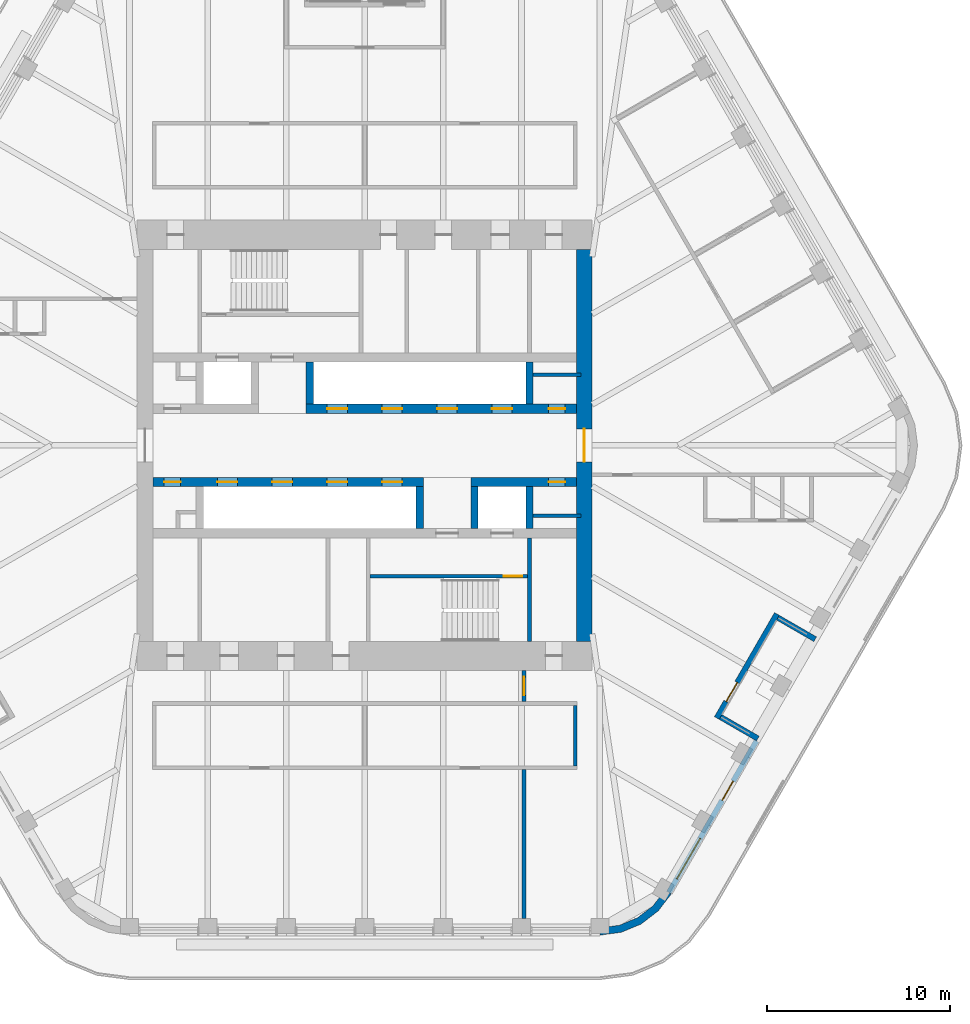
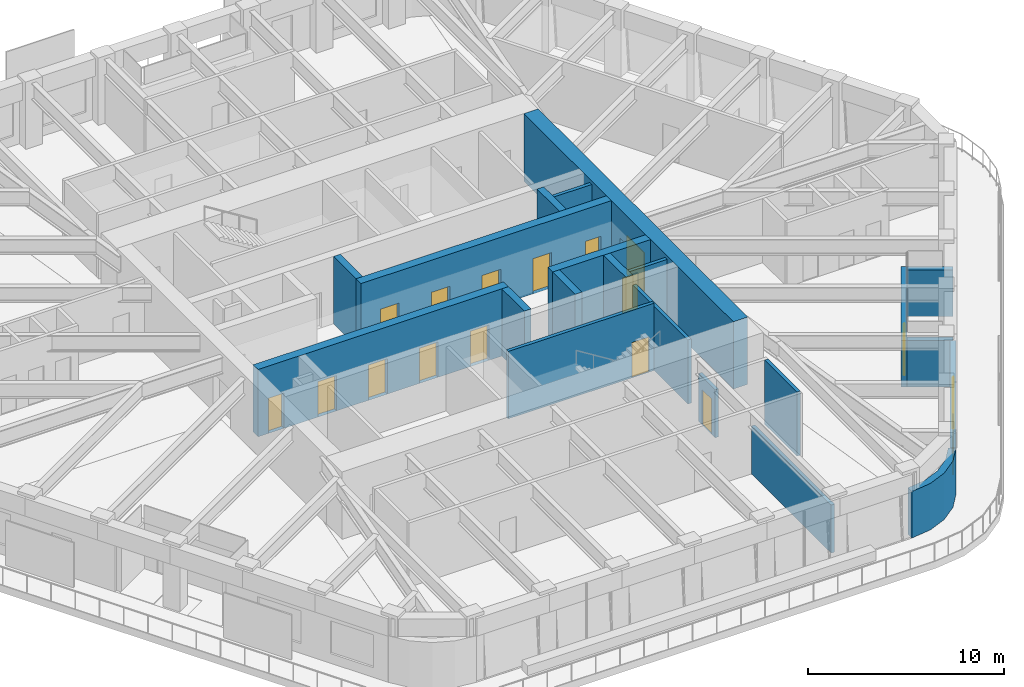
# One storey, part 14 of 19: 21 walls, 16 doors, 1 window, 17 openings.
"""IFC4 building model written with IfcOpenShell, lengths in metres."""

from ifc_helpers import new_model, si_unit, direction, frame, frame_2d, origin, place, context, subcontext, project, spatial, polyline, rectangle, outline, extrude, material, layer, layer_set, type_object, element, fill, save


model = new_model("IFC4")

# Units and contexts
model_context = context("Model", 3, precision=1e-05, world=origin(), true_north=direction((0.0, 1.0)))
body_context = subcontext(model_context, "Body", "Model", "MODEL_VIEW")
ifc_project = project(units=[si_unit("LENGTHUNIT", "METRE"), si_unit("AREAUNIT", "SQUARE_METRE"), si_unit("VOLUMEUNIT", "CUBIC_METRE"), si_unit("PLANEANGLEUNIT", "RADIAN"), si_unit("MASSUNIT", "GRAM", prefix="KILO")], contexts=[model_context])

# Site, building, storey
site_placement = place(None, origin())
site = spatial("IfcSite", under=ifc_project, at=site_placement, CompositionType="ELEMENT")
building_placement = place(site_placement, origin())
building = spatial("IfcBuilding", under=site, at=building_placement, Name="Tarfa Lantern Tower", CompositionType="ELEMENT")
storey_placement = place(building_placement, frame((0.0, 0.0, 349.300048828125)))
storey = spatial("IfcBuildingStorey", under=building, at=storey_placement, Name="L79", CompositionType="ELEMENT", Elevation=349.300048828125)

# Wall, openings, door, window
ifc_material_1 = material(Name="Limestone cladding on blockwork", Category="masonry")
ifc_layer_1 = layer(ifc_material_1, 0.300048828125)
ifc_layer_set_1 = layer_set([ifc_layer_1], Name="EW1 STONE-CLAD WALL 300")
wall_type_1 = type_object("IfcWallType", Name="EW1 STONE-CLAD WALL 300", PredefinedType="SOLIDWALL", material=ifc_layer_set_1)
wall_1_placement = place(storey_placement, frame((16.61328125, -24.425048828125, 0.0), z_axis=(0.0, 0.0, 1.0), x_axis=(0.499996453679, 0.866027451244, 0.0)))
wall_1 = element("IfcWall", 1, at=wall_1_placement, inside=storey, type_object=wall_type_1, Name="Stone wall SE", PredefinedType="SOLIDWALL", context=body_context, shape_type="SweptSolid", body=[
    extrude(rectangle(XDim=9.56396484375, YDim=0.300048828125, at=frame_2d((4.781982421875, 0.0))), origin(), (0.0, 0.0, 1.0), 2.89990234375),
])
opening_1_placement = place(wall_1_placement, frame((0.865966796875, 0.0, 0.60009765625)))
opening_1 = element("IfcOpeningElement", 2, at=opening_1_placement, cuts=wall_1, Name="Opening W17", PredefinedType="OPENING", context=body_context, shape_type="SweptSolid", body=[
    extrude(rectangle(XDim=2.550048828125, YDim=2.050048828125, at=frame_2d((1.27490234375, 1.02490234375))), frame((0.0, 0.159912109375, 0.0), z_axis=(0.0, -1.0, 0.0), x_axis=(1.0, 0.0, 0.0)), (0.0, 0.0, 1.0), 0.320068359375),
])
opening_2_placement = place(wall_1_placement, frame((5.822998046875, 0.0, 0.0)))
opening_2 = element("IfcOpeningElement", 3, at=opening_2_placement, cuts=wall_1, Name="Opening D40", PredefinedType="OPENING", context=body_context, shape_type="SweptSolid", body=[
    extrude(rectangle(XDim=1.199951171875, YDim=2.39990234375, at=frame_2d((0.60009765625, 1.199951171875))), frame((0.0, 0.159912109375, 0.0), z_axis=(0.0, -1.0, 0.0), x_axis=(1.0, 0.0, 0.0)), (0.0, 0.0, 1.0), 0.320068359375),
])
ifc_material_2 = material(Name="Aluminium framed glazed door", Category="aluminium")
door_type_1 = type_object("IfcDoorType", Name="BE3 BALCONY DOOR 1200x2400", OperationType="SINGLE_SWING_RIGHT", PredefinedType="DOOR", material=ifc_material_2)
door_1_placement = place(opening_2_placement, origin())
door_1 = element("IfcDoor", 4, at=door_1_placement, inside=storey, type_object=door_type_1, Name="Balcony door SE", OperationType="SINGLE_SWING_LEFT", OverallHeight=2.39990234375, OverallWidth=1.199951171875, PredefinedType="DOOR", context=body_context, shape_type="SweptSolid", body=[
    extrude(rectangle(XDim=1.199951171875, YDim=2.39990234375, at=frame_2d((0.60009765625, 1.199951171875))), frame((0.0, 0.02490234375, 0.0), z_axis=(0.0, -1.0, 0.0), x_axis=(1.0, 0.0, 0.0)), (0.0, 0.0, 1.0), 0.050048828125),
])
fill(opening_2, door_1)
ifc_material_3 = material(Name="Aluminium frame, double glazed", Category="aluminium")
window_type = type_object("IfcWindowType", Name="W17 FULL-HEIGHT GLAZING 2550x2050", PartitioningType="SINGLE_PANEL", PredefinedType="WINDOW", material=ifc_material_3)
window_placement = place(opening_1_placement, origin())
window = element("IfcWindow", 5, at=window_placement, inside=storey, type_object=window_type, Name="Window SE 1", OverallHeight=2.050048828125, OverallWidth=2.550048828125, PartitioningType="SINGLE_PANEL", PredefinedType="WINDOW", context=body_context, shape_type="SweptSolid", body=[
    extrude(rectangle(XDim=2.550048828125, YDim=2.050048828125, at=frame_2d((1.27490234375, 1.02490234375))), frame((0.0, 0.030029296875, 0.0), z_axis=(0.0, -1.0, 0.0), x_axis=(1.0, 0.0, 0.0)), (0.0, 0.0, 1.0), 0.06005859375),
])
fill(opening_1, window)

# Walls
for number, where, z_axis, x_axis, name in (
    (6, (21.47021484375, -16.012451171875, 0.0), (0.0, 0.0, 1.0), (-0.866016039709, 0.500016218704, 0.0), "Terrace return SE 1"),
    (7, (24.602294921875, -10.587646484375, 0.0), (0.0, 0.0, 1.0), (-0.866016039709, 0.500016218704, 0.0), "Terrace return SE 2"),
):
    element("IfcWall", number, at=place(storey_placement, frame(where, z_axis=z_axis, x_axis=x_axis)), inside=storey, type_object=wall_type_1, Name=name, PredefinedType="SOLIDWALL", context=body_context, shape_type="SweptSolid", body=[
        extrude(rectangle(XDim=2.35009765625, YDim=0.300048828125, at=frame_2d((1.175048828125, 0.0))), origin(), (0.0, 0.0, 1.0), 2.89990234375),
    ])

# Wall, opening, door
wall_2_placement = place(storey_placement, frame((19.230224609375, -14.892333984375, 0.0), z_axis=(0.0, 0.0, 1.0), x_axis=(0.499999339774, 0.866025784966, 0.0)))
wall_2 = element("IfcWall", 8, at=wall_2_placement, inside=storey, type_object=wall_type_1, Name="Stone wall SES", PredefinedType="SOLIDWALL", context=body_context, shape_type="SweptSolid", body=[
    extrude(rectangle(XDim=6.56396484375, YDim=0.300048828125, at=frame_2d((3.281982421875, 0.0))), origin(), (0.0, 0.0, 1.0), 2.89990234375),
])
opening_3_placement = place(wall_2_placement, frame((1.041015625, 0.0, 0.0)))
opening_3 = element("IfcOpeningElement", 9, at=opening_3_placement, cuts=wall_2, Name="Opening D41", PredefinedType="OPENING", context=body_context, shape_type="SweptSolid", body=[
    extrude(rectangle(XDim=1.199951171875, YDim=2.39990234375, at=frame_2d((0.60009765625, 1.199951171875))), frame((0.0, 0.159912109375, 0.0), z_axis=(0.0, -1.0, 0.0), x_axis=(1.0, 0.0, 0.0)), (0.0, 0.0, 1.0), 0.320068359375),
])
door_2_placement = place(opening_3_placement, origin())
door_2 = element("IfcDoor", 10, at=door_2_placement, inside=storey, type_object=door_type_1, Name="Balcony door SES", OperationType="SINGLE_SWING_RIGHT", OverallHeight=2.39990234375, OverallWidth=1.199951171875, PredefinedType="DOOR", context=body_context, shape_type="SweptSolid", body=[
    extrude(rectangle(XDim=1.199951171875, YDim=2.39990234375, at=frame_2d((0.60009765625, 1.199951171875))), frame((0.0, 0.02490234375, 0.0), z_axis=(0.0, -1.0, 0.0), x_axis=(1.0, 0.0, 0.0)), (0.0, 0.0, 1.0), 0.050048828125),
])
fill(opening_3, door_2)

# Walls
ifc_layer_2 = layer(ifc_material_1, 0.39990234375)
ifc_layer_set_2 = layer_set([ifc_layer_2], Name="EW2 CURVED STONE CORNER 400")
wall_type_2 = type_object("IfcWallType", Name="EW2 CURVED STONE CORNER 400", PredefinedType="SOLIDWALL", material=ifc_layer_set_2)
wall_3_placement = place(storey_placement, origin())
element("IfcWall", 11, at=wall_3_placement, inside=storey, type_object=wall_type_2, Name="Stone corner S-SE", PredefinedType="SOLIDWALL", context=body_context, shape_type="SweptSolid", body=[
    extrude(outline(polyline([(12.845947265625, -26.75), (14.0107421875, -26.5966796875), (15.095947265625, -26.147216796875), (16.028076171875, -25.431884765625), (16.7431640625, -24.5), (16.396728515625, -24.300048828125), (15.7451171875, -25.149169921875), (14.89599609375, -25.80078125), (13.9072265625, -26.210205078125), (12.845947265625, -26.35009765625), (12.845947265625, -26.75)])), origin(), (0.0, 0.0, 1.0), 2.89990234375),
])
ifc_material_4 = material(Name="Concrete blockwork", Category="masonry")
ifc_layer_3 = layer(ifc_material_4, 0.199951171875)
ifc_layer_set_3 = layer_set([ifc_layer_3], Name="IW1 BLOCKWORK PARTITION 200 EI 120")
wall_type_3 = type_object("IfcWallType", Name="IW1 BLOCKWORK PARTITION 200 EI 120", PredefinedType="PARTITIONING", material=ifc_layer_set_3)
wall_4_placement = place(storey_placement, frame((9.0, -5.050048828125, 0.0), z_axis=(0.0, 0.0, 1.0), x_axis=(0.0, -1.0, 0.0)))
element("IfcWall", 12, at=wall_4_placement, inside=storey, type_object=wall_type_3, Name="Core partition", PredefinedType="PARTITIONING", context=body_context, shape_type="SweptSolid", body=[
    extrude(rectangle(XDim=5.64990234375, YDim=0.199951171875, at=frame_2d((2.824951171875, 0.0))), origin(), (0.0, 0.0, 1.0), 4.0),
])
for number, where, z_axis, x_axis, name in (
    (13, (9.199951171875, 3.85009765625, 0.0), (0.0, 0.0, 1.0), (1.0, 0.0, 0.0), "Core partition"),
    (14, (11.800048828125, -3.85009765625, 0.0), (0.0, 0.0, 1.0), (-1.0, 0.0, 0.0), "Core partition"),
):
    element("IfcWall", number, at=place(storey_placement, frame(where, z_axis=z_axis, x_axis=x_axis)), inside=storey, type_object=wall_type_3, Name=name, PredefinedType="PARTITIONING", context=body_context, shape_type="SweptSolid", body=[
        extrude(rectangle(XDim=2.60009765625, YDim=0.199951171875, at=frame_2d((1.300048828125, 0.0))), origin(), (0.0, 0.0, 1.0), 4.0),
    ])
ifc_material_5 = material(Name="Gypsum board on steel studs", Category="steel")
ifc_layer_4 = layer(ifc_material_5, 0.2099609375)
ifc_layer_set_4 = layer_set([ifc_layer_4], Name="IW2 ACOUSTIC PARTITION 200")
wall_type_4 = type_object("IfcWallType", Name="IW2 ACOUSTIC PARTITION 200", PredefinedType="PARTITIONING", material=ifc_layer_set_4)
wall_5_placement = place(storey_placement, frame((11.5, -14.199951171875, 0.0), z_axis=(0.0, 0.0, 1.0), x_axis=(0.0, -1.0, 0.0)))
element("IfcWall", 15, at=wall_5_placement, inside=storey, type_object=wall_type_4, Name="Partition", PredefinedType="PARTITIONING", context=body_context, shape_type="SweptSolid", body=[
    extrude(rectangle(XDim=3.300048828125, YDim=0.199951171875, at=frame_2d((1.64990234375, 0.0))), origin(), (0.0, 0.0, 1.0), 4.0),
])

# Wall, opening, door
wall_6_placement = place(storey_placement, frame((8.699951171875, -12.300048828125, 0.0), z_axis=(0.0, 0.0, 1.0), x_axis=(0.0, -1.0, 0.0)))
wall_6 = element("IfcWall", 16, at=wall_6_placement, inside=storey, type_object=wall_type_4, Name="Partition", PredefinedType="PARTITIONING", context=body_context, shape_type="SweptSolid", body=[
    extrude(rectangle(XDim=1.699951171875, YDim=0.199951171875, at=frame_2d((0.85009765625, 0.0))), origin(), (0.0, 0.0, 1.0), 2.991943359375),
])
opening_4_placement = place(wall_6_placement, frame((0.35009765625, 0.0, 0.0)))
opening_4 = element("IfcOpeningElement", 17, at=opening_4_placement, cuts=wall_6, Name="Opening D36", PredefinedType="OPENING", context=body_context, shape_type="SweptSolid", body=[
    extrude(rectangle(XDim=1.0, YDim=2.199951171875, at=frame_2d((0.5, 1.10009765625))), frame((0.0, 0.10986328125, 0.0), z_axis=(0.0, -1.0, 0.0), x_axis=(1.0, 0.0, 0.0)), (0.0, 0.0, 1.0), 0.219970703125),
])
ifc_material_6 = material(Name="Timber door", Category="wood")
door_type_2 = type_object("IfcDoorType", Name="DR1 ROOM DOOR 1000x2200", OperationType="SINGLE_SWING_LEFT", PredefinedType="DOOR", material=ifc_material_6)
door_3_placement = place(opening_4_placement, origin())
door_3 = element("IfcDoor", 18, at=door_3_placement, inside=storey, type_object=door_type_2, Name="Zone door", OperationType="SINGLE_SWING_LEFT", OverallHeight=2.199951171875, OverallWidth=1.0, PredefinedType="DOOR", context=body_context, shape_type="SweptSolid", body=[
    extrude(rectangle(XDim=1.0, YDim=2.199951171875, at=frame_2d((0.5, 1.10009765625))), frame((0.0, 0.02490234375, 0.0), z_axis=(0.0, -1.0, 0.0), x_axis=(1.0, 0.0, 0.0)), (0.0, 0.0, 1.0), 0.050048828125),
])
fill(opening_4, door_3)

# Wall
wall_7_placement = place(storey_placement, frame((8.699951171875, -17.699951171875, 0.0), z_axis=(0.0, 0.0, 1.0), x_axis=(0.0, -1.0, 0.0)))
element("IfcWall", 19, at=wall_7_placement, inside=storey, type_object=wall_type_4, Name="Partition", PredefinedType="PARTITIONING", context=body_context, shape_type="SweptSolid", body=[
    extrude(rectangle(XDim=8.150146484375, YDim=0.199951171875, at=frame_2d((4.0751953125, 0.0))), origin(), (0.0, 0.0, 1.0), 2.991943359375),
])

# Wall, opening, door
ifc_material_7 = material(Name="Concrete C80/95", Category="concrete")
ifc_layer_5 = layer(ifc_material_7, 0.199951171875)
ifc_layer_set_5 = layer_set([ifc_layer_5], Name="SW12 CORE WALL 200")
wall_type_5 = type_object("IfcWallType", Name="SW12 CORE WALL 200", PredefinedType="SHEAR", material=ifc_layer_set_5)
wall_8_placement = place(storey_placement, frame((8.89990234375, -7.14990234375, 0.0), z_axis=(0.0, 0.0, 1.0), x_axis=(-1.0, 0.0, 0.0)))
wall_8 = element("IfcWall", 20, at=wall_8_placement, inside=storey, type_object=wall_type_5, Name="Core wall stair partition S", PredefinedType="SHEAR", context=body_context, shape_type="SweptSolid", body=[
    extrude(rectangle(XDim=8.599853515625, YDim=0.199951171875, at=frame_2d((4.2998046875, 0.0))), origin(), (0.0, 0.0, 1.0), 4.199951171875),
])
opening_5_placement = place(wall_8_placement, frame((0.300048828125, 0.0, 0.0)))
opening_5 = element("IfcOpeningElement", 21, at=opening_5_placement, cuts=wall_8, Name="Opening D20", PredefinedType="OPENING", context=body_context, shape_type="SweptSolid", body=[
    extrude(rectangle(XDim=1.0, YDim=2.199951171875, at=frame_2d((0.5, 1.10009765625))), frame((0.0, 0.10986328125, 0.0), z_axis=(0.0, -1.0, 0.0), x_axis=(1.0, 0.0, 0.0)), (0.0, 0.0, 1.0), 0.219970703125),
])
ifc_material_8 = material(Name="Steel fire door", Category="steel")
door_type_3 = type_object("IfcDoorType", Name="DF2 STAIR DOOR 1000x2200", OperationType="SINGLE_SWING_LEFT", PredefinedType="DOOR", material=ifc_material_8)
door_4_placement = place(opening_5_placement, origin())
door_4 = element("IfcDoor", 22, at=door_4_placement, inside=storey, type_object=door_type_3, Name="Stair door", OperationType="SINGLE_SWING_RIGHT", OverallHeight=2.199951171875, OverallWidth=1.0, PredefinedType="DOOR", context=body_context, shape_type="SweptSolid", body=[
    extrude(rectangle(XDim=1.0, YDim=2.199951171875, at=frame_2d((0.5, 1.10009765625))), frame((0.0, 0.02490234375, 0.0), z_axis=(0.0, -1.0, 0.0), x_axis=(1.0, 0.0, 0.0)), (0.0, 0.0, 1.0), 0.050048828125),
])
fill(opening_5, door_4)

ifc_layer_6 = layer(ifc_material_7, 0.85009765625)
ifc_layer_set_6 = layer_set([ifc_layer_6], Name="SW3 CORE WALL 850")
wall_type_6 = type_object("IfcWallType", Name="SW3 CORE WALL 850", PredefinedType="SHEAR", material=ifc_layer_set_6)
wall_9_placement = place(storey_placement, frame((12.0, -10.699951171875, 0.0), z_axis=(0.0, 0.0, 1.0), x_axis=(0.0, 1.0, 0.0)))
wall_9 = element("IfcWall", 23, at=wall_9_placement, inside=storey, type_object=wall_type_6, Name="Core wall E", PredefinedType="SHEAR", context=body_context, shape_type="SweptSolid", body=[
    extrude(rectangle(XDim=21.39990234375, YDim=0.85009765625, at=frame_2d((10.699951171875, 0.0))), origin(), (0.0, 0.0, 1.0), 4.199951171875),
])
opening_6_placement = place(wall_9_placement, frame((9.800048828125, 0.0, 0.0)))
opening_6 = element("IfcOpeningElement", 24, at=opening_6_placement, cuts=wall_9, Name="Opening D07", PredefinedType="OPENING", context=body_context, shape_type="SweptSolid", body=[
    extrude(rectangle(XDim=1.800048828125, YDim=2.39990234375, at=frame_2d((0.89990234375, 1.199951171875))), frame((0.0, 0.43505859375, 0.0), z_axis=(0.0, -1.0, 0.0), x_axis=(1.0, 0.0, 0.0)), (0.0, 0.0, 1.0), 0.8701171875),
])
door_type_4 = type_object("IfcDoorType", Name="DL1 LOBBY DOOR 1800x2400", OperationType="DOUBLE_DOOR_SINGLE_SWING", PredefinedType="DOOR", material=ifc_material_8)
door_5_placement = place(opening_6_placement, frame((1.800048828125, 0.0, 0.0), z_axis=(0.0, 0.0, 1.0), x_axis=(-1.0, 0.0, 0.0)))
door_5 = element("IfcDoor", 25, at=door_5_placement, inside=storey, type_object=door_type_4, Name="Lift lobby door", OperationType="DOUBLE_DOOR_SINGLE_SWING", OverallHeight=2.39990234375, OverallWidth=1.800048828125, PredefinedType="DOOR", context=body_context, shape_type="SweptSolid", body=[
    extrude(rectangle(XDim=1.800048828125, YDim=2.39990234375, at=frame_2d((0.89990234375, 1.199951171875))), frame((0.0, 0.02490234375, 0.0), z_axis=(0.0, -1.0, 0.0), x_axis=(1.0, 0.0, 0.0)), (0.0, 0.0, 1.0), 0.050048828125),
])
fill(opening_6, door_5)

# Wall, openings, doors
ifc_layer_7 = layer(ifc_material_7, 0.5)
ifc_layer_set_7 = layer_set([ifc_layer_7], Name="SW5 CORE WALL 500")
wall_type_7 = type_object("IfcWallType", Name="SW5 CORE WALL 500", PredefinedType="SHEAR", material=ifc_layer_set_7)
wall_10_placement = place(storey_placement, frame((-3.199951171875, 2.0, 0.0), z_axis=(0.0, 0.0, 1.0), x_axis=(1.0, 0.0, 0.0)))
wall_10 = element("IfcWall", 26, at=wall_10_placement, inside=storey, type_object=wall_type_7, Name="Core wall lobby east N", PredefinedType="SHEAR", context=body_context, shape_type="SweptSolid", body=[
    extrude(rectangle(XDim=14.77490234375, YDim=0.5, at=frame_2d((7.387451171875, 0.0))), origin(), (0.0, 0.0, 1.0), 4.199951171875),
])
opening_7_placement = place(wall_10_placement, frame((13.25, 0.0, 0.0)))
opening_7 = element("IfcOpeningElement", 27, at=opening_7_placement, cuts=wall_10, Name="Opening D09", PredefinedType="OPENING", context=body_context, shape_type="SweptSolid", body=[
    extrude(rectangle(XDim=0.89990234375, YDim=2.199951171875, at=frame_2d((0.449951171875, 1.10009765625))), frame((0.0, 0.260009765625, 0.0), z_axis=(0.0, -1.0, 0.0), x_axis=(1.0, 0.0, 0.0)), (0.0, 0.0, 1.0), 0.52001953125),
])
opening_8_placement = place(wall_10_placement, frame((1.14990234375, 0.0, 0.0)))
opening_8 = element("IfcOpeningElement", 28, at=opening_8_placement, cuts=wall_10, Name="Opening LD03", PredefinedType="OPENING", context=body_context, shape_type="SweptSolid", body=[
    extrude(rectangle(XDim=1.10009765625, YDim=2.199951171875, at=frame_2d((0.550048828125, 1.10009765625))), frame((0.0, 0.260009765625, 0.0), z_axis=(0.0, -1.0, 0.0), x_axis=(1.0, 0.0, 0.0)), (0.0, 0.0, 1.0), 0.52001953125),
])
opening_9_placement = place(wall_10_placement, frame((4.14990234375, 0.0, 0.0)))
opening_9 = element("IfcOpeningElement", 29, at=opening_9_placement, cuts=wall_10, Name="Opening LD04", PredefinedType="OPENING", context=body_context, shape_type="SweptSolid", body=[
    extrude(rectangle(XDim=1.10009765625, YDim=2.199951171875, at=frame_2d((0.550048828125, 1.10009765625))), frame((0.0, 0.260009765625, 0.0), z_axis=(0.0, -1.0, 0.0), x_axis=(1.0, 0.0, 0.0)), (0.0, 0.0, 1.0), 0.52001953125),
])
opening_10_placement = place(wall_10_placement, frame((7.14990234375, 0.0, 0.0)))
opening_10 = element("IfcOpeningElement", 30, at=opening_10_placement, cuts=wall_10, Name="Opening LD05", PredefinedType="OPENING", context=body_context, shape_type="SweptSolid", body=[
    extrude(rectangle(XDim=1.10009765625, YDim=2.199951171875, at=frame_2d((0.550048828125, 1.10009765625))), frame((0.0, 0.260009765625, 0.0), z_axis=(0.0, -1.0, 0.0), x_axis=(1.0, 0.0, 0.0)), (0.0, 0.0, 1.0), 0.52001953125),
])
opening_11_placement = place(wall_10_placement, frame((10.14990234375, 0.0, 0.0)))
opening_11 = element("IfcOpeningElement", 31, at=opening_11_placement, cuts=wall_10, Name="Opening LD06", PredefinedType="OPENING", context=body_context, shape_type="SweptSolid", body=[
    extrude(rectangle(XDim=1.10009765625, YDim=2.199951171875, at=frame_2d((0.550048828125, 1.10009765625))), frame((0.0, 0.260009765625, 0.0), z_axis=(0.0, -1.0, 0.0), x_axis=(1.0, 0.0, 0.0)), (0.0, 0.0, 1.0), 0.52001953125),
])
door_type_5 = type_object("IfcDoorType", Name="DF6 SERVICE ROOM DOOR 900x2200", OperationType="SINGLE_SWING_LEFT", PredefinedType="DOOR", material=ifc_material_8)
door_6_placement = place(opening_7_placement, origin())
door_6 = element("IfcDoor", 32, at=door_6_placement, inside=storey, type_object=door_type_5, Name="Service room door", OperationType="SINGLE_SWING_LEFT", OverallHeight=2.199951171875, OverallWidth=0.89990234375, PredefinedType="DOOR", context=body_context, shape_type="SweptSolid", body=[
    extrude(rectangle(XDim=0.89990234375, YDim=2.199951171875, at=frame_2d((0.449951171875, 1.10009765625))), frame((0.0, 0.02490234375, 0.0), z_axis=(0.0, -1.0, 0.0), x_axis=(1.0, 0.0, 0.0)), (0.0, 0.0, 1.0), 0.050048828125),
])
fill(opening_7, door_6)
ifc_material_9 = material(Name="Stainless steel lift door", Category="steel")
door_type_6 = type_object("IfcDoorType", Name="LD2 LIFT LANDING DOOR 1100x2200", OperationType="SLIDING_TO_LEFT", PredefinedType="DOOR", material=ifc_material_9)
door_7_placement = place(opening_8_placement, frame((1.10009765625, 0.0, 0.0), z_axis=(0.0, 0.0, 1.0), x_axis=(-1.0, 0.0, 0.0)))
door_7 = element("IfcDoor", 33, at=door_7_placement, inside=storey, type_object=door_type_6, Name="Landing door PD1", OperationType="SLIDING_TO_LEFT", OverallHeight=2.199951171875, OverallWidth=1.10009765625, PredefinedType="DOOR", context=body_context, shape_type="SweptSolid", body=[
    extrude(rectangle(XDim=1.10009765625, YDim=2.199951171875, at=frame_2d((0.550048828125, 1.10009765625))), frame((0.0, 0.02490234375, 0.0), z_axis=(0.0, -1.0, 0.0), x_axis=(1.0, 0.0, 0.0)), (0.0, 0.0, 1.0), 0.050048828125),
])
fill(opening_8, door_7)
door_8_placement = place(opening_9_placement, frame((1.10009765625, 0.0, 0.0), z_axis=(0.0, 0.0, 1.0), x_axis=(-1.0, 0.0, 0.0)))
door_8 = element("IfcDoor", 34, at=door_8_placement, inside=storey, type_object=door_type_6, Name="Landing door PD2", OperationType="SLIDING_TO_LEFT", OverallHeight=2.199951171875, OverallWidth=1.10009765625, PredefinedType="DOOR", context=body_context, shape_type="SweptSolid", body=[
    extrude(rectangle(XDim=1.10009765625, YDim=2.199951171875, at=frame_2d((0.550048828125, 1.10009765625))), frame((0.0, 0.02490234375, 0.0), z_axis=(0.0, -1.0, 0.0), x_axis=(1.0, 0.0, 0.0)), (0.0, 0.0, 1.0), 0.050048828125),
])
fill(opening_9, door_8)
door_9_placement = place(opening_10_placement, frame((1.10009765625, 0.0, 0.0), z_axis=(0.0, 0.0, 1.0), x_axis=(-1.0, 0.0, 0.0)))
door_9 = element("IfcDoor", 35, at=door_9_placement, inside=storey, type_object=door_type_6, Name="Landing door PD3", OperationType="SLIDING_TO_LEFT", OverallHeight=2.199951171875, OverallWidth=1.10009765625, PredefinedType="DOOR", context=body_context, shape_type="SweptSolid", body=[
    extrude(rectangle(XDim=1.10009765625, YDim=2.199951171875, at=frame_2d((0.550048828125, 1.10009765625))), frame((0.0, 0.02490234375, 0.0), z_axis=(0.0, -1.0, 0.0), x_axis=(1.0, 0.0, 0.0)), (0.0, 0.0, 1.0), 0.050048828125),
])
fill(opening_10, door_9)
door_10_placement = place(opening_11_placement, frame((1.10009765625, 0.0, 0.0), z_axis=(0.0, 0.0, 1.0), x_axis=(-1.0, 0.0, 0.0)))
door_10 = element("IfcDoor", 36, at=door_10_placement, inside=storey, type_object=door_type_6, Name="Landing door PD4", OperationType="SLIDING_TO_LEFT", OverallHeight=2.199951171875, OverallWidth=1.10009765625, PredefinedType="DOOR", context=body_context, shape_type="SweptSolid", body=[
    extrude(rectangle(XDim=1.10009765625, YDim=2.199951171875, at=frame_2d((0.550048828125, 1.10009765625))), frame((0.0, 0.02490234375, 0.0), z_axis=(0.0, -1.0, 0.0), x_axis=(1.0, 0.0, 0.0)), (0.0, 0.0, 1.0), 0.050048828125),
])
fill(opening_11, door_10)

# Wall, opening, door
wall_11_placement = place(storey_placement, frame((11.574951171875, -2.0, 0.0), z_axis=(0.0, 0.0, 1.0), x_axis=(-1.0, 0.0, 0.0)))
wall_11 = element("IfcWall", 37, at=wall_11_placement, inside=storey, type_object=wall_type_7, Name="Core wall lobby west S", PredefinedType="SHEAR", context=body_context, shape_type="SweptSolid", body=[
    extrude(rectangle(XDim=5.77490234375, YDim=0.5, at=frame_2d((2.887451171875, 0.0))), origin(), (0.0, 0.0, 1.0), 4.199951171875),
])
opening_12_placement = place(wall_11_placement, frame((0.625, 0.0, 0.0)))
opening_12 = element("IfcOpeningElement", 38, at=opening_12_placement, cuts=wall_11, Name="Opening D12", PredefinedType="OPENING", context=body_context, shape_type="SweptSolid", body=[
    extrude(rectangle(XDim=0.89990234375, YDim=2.199951171875, at=frame_2d((0.449951171875, 1.10009765625))), frame((0.0, 0.260009765625, 0.0), z_axis=(0.0, -1.0, 0.0), x_axis=(1.0, 0.0, 0.0)), (0.0, 0.0, 1.0), 0.52001953125),
])
door_11_placement = place(opening_12_placement, origin())
door_11 = element("IfcDoor", 39, at=door_11_placement, inside=storey, type_object=door_type_5, Name="Service room door", OperationType="SINGLE_SWING_RIGHT", OverallHeight=2.199951171875, OverallWidth=0.89990234375, PredefinedType="DOOR", context=body_context, shape_type="SweptSolid", body=[
    extrude(rectangle(XDim=0.89990234375, YDim=2.199951171875, at=frame_2d((0.449951171875, 1.10009765625))), frame((0.0, 0.02490234375, 0.0), z_axis=(0.0, -1.0, 0.0), x_axis=(1.0, 0.0, 0.0)), (0.0, 0.0, 1.0), 0.050048828125),
])
fill(opening_12, door_11)

# Wall, openings, doors
wall_12_placement = place(storey_placement, frame((3.199951171875, -2.0, 0.0), z_axis=(0.0, 0.0, 1.0), x_axis=(-1.0, 0.0, 0.0)))
wall_12 = element("IfcWall", 40, at=wall_12_placement, inside=storey, type_object=wall_type_7, Name="Core wall lobby east S", PredefinedType="SHEAR", context=body_context, shape_type="SweptSolid", body=[
    extrude(rectangle(XDim=14.77490234375, YDim=0.5, at=frame_2d((7.387451171875, 0.0))), origin(), (0.0, 0.0, 1.0), 4.199951171875),
])
opening_13_placement = place(wall_12_placement, frame((13.25, 0.0, 0.0)))
opening_13 = element("IfcOpeningElement", 41, at=opening_13_placement, cuts=wall_12, Name="Opening D10", PredefinedType="OPENING", context=body_context, shape_type="SweptSolid", body=[
    extrude(rectangle(XDim=0.89990234375, YDim=2.199951171875, at=frame_2d((0.449951171875, 1.10009765625))), frame((0.0, 0.260009765625, 0.0), z_axis=(0.0, -1.0, 0.0), x_axis=(1.0, 0.0, 0.0)), (0.0, 0.0, 1.0), 0.52001953125),
])
opening_14_placement = place(wall_12_placement, frame((1.14990234375, 0.0, 0.0)))
opening_14 = element("IfcOpeningElement", 42, at=opening_14_placement, cuts=wall_12, Name="Opening LD07", PredefinedType="OPENING", context=body_context, shape_type="SweptSolid", body=[
    extrude(rectangle(XDim=1.10009765625, YDim=2.199951171875, at=frame_2d((0.550048828125, 1.10009765625))), frame((0.0, 0.260009765625, 0.0), z_axis=(0.0, -1.0, 0.0), x_axis=(1.0, 0.0, 0.0)), (0.0, 0.0, 1.0), 0.52001953125),
])
opening_15_placement = place(wall_12_placement, frame((4.14990234375, 0.0, 0.0)))
opening_15 = element("IfcOpeningElement", 43, at=opening_15_placement, cuts=wall_12, Name="Opening LD08", PredefinedType="OPENING", context=body_context, shape_type="SweptSolid", body=[
    extrude(rectangle(XDim=1.10009765625, YDim=2.199951171875, at=frame_2d((0.550048828125, 1.10009765625))), frame((0.0, 0.260009765625, 0.0), z_axis=(0.0, -1.0, 0.0), x_axis=(1.0, 0.0, 0.0)), (0.0, 0.0, 1.0), 0.52001953125),
])
opening_16_placement = place(wall_12_placement, frame((7.14990234375, 0.0, 0.0)))
opening_16 = element("IfcOpeningElement", 44, at=opening_16_placement, cuts=wall_12, Name="Opening LD09", PredefinedType="OPENING", context=body_context, shape_type="SweptSolid", body=[
    extrude(rectangle(XDim=1.10009765625, YDim=2.199951171875, at=frame_2d((0.550048828125, 1.10009765625))), frame((0.0, 0.260009765625, 0.0), z_axis=(0.0, -1.0, 0.0), x_axis=(1.0, 0.0, 0.0)), (0.0, 0.0, 1.0), 0.52001953125),
])
opening_17_placement = place(wall_12_placement, frame((10.14990234375, 0.0, 0.0)))
opening_17 = element("IfcOpeningElement", 45, at=opening_17_placement, cuts=wall_12, Name="Opening LD10", PredefinedType="OPENING", context=body_context, shape_type="SweptSolid", body=[
    extrude(rectangle(XDim=1.10009765625, YDim=2.199951171875, at=frame_2d((0.550048828125, 1.10009765625))), frame((0.0, 0.260009765625, 0.0), z_axis=(0.0, -1.0, 0.0), x_axis=(1.0, 0.0, 0.0)), (0.0, 0.0, 1.0), 0.52001953125),
])
door_12_placement = place(opening_13_placement, origin())
door_12 = element("IfcDoor", 46, at=door_12_placement, inside=storey, type_object=door_type_5, Name="Service room door", OperationType="SINGLE_SWING_LEFT", OverallHeight=2.199951171875, OverallWidth=0.89990234375, PredefinedType="DOOR", context=body_context, shape_type="SweptSolid", body=[
    extrude(rectangle(XDim=0.89990234375, YDim=2.199951171875, at=frame_2d((0.449951171875, 1.10009765625))), frame((0.0, 0.02490234375, 0.0), z_axis=(0.0, -1.0, 0.0), x_axis=(1.0, 0.0, 0.0)), (0.0, 0.0, 1.0), 0.050048828125),
])
fill(opening_13, door_12)
door_13_placement = place(opening_14_placement, frame((1.10009765625, 0.0, 0.0), z_axis=(0.0, 0.0, 1.0), x_axis=(-1.0, 0.0, 0.0)))
door_13 = element("IfcDoor", 47, at=door_13_placement, inside=storey, type_object=door_type_6, Name="Landing door PD5", OperationType="SLIDING_TO_LEFT", OverallHeight=2.199951171875, OverallWidth=1.10009765625, PredefinedType="DOOR", context=body_context, shape_type="SweptSolid", body=[
    extrude(rectangle(XDim=1.10009765625, YDim=2.199951171875, at=frame_2d((0.550048828125, 1.10009765625))), frame((0.0, 0.02490234375, 0.0), z_axis=(0.0, -1.0, 0.0), x_axis=(1.0, 0.0, 0.0)), (0.0, 0.0, 1.0), 0.050048828125),
])
fill(opening_14, door_13)
door_14_placement = place(opening_15_placement, frame((1.10009765625, 0.0, 0.0), z_axis=(0.0, 0.0, 1.0), x_axis=(-1.0, 0.0, 0.0)))
door_14 = element("IfcDoor", 48, at=door_14_placement, inside=storey, type_object=door_type_6, Name="Landing door PD6", OperationType="SLIDING_TO_LEFT", OverallHeight=2.199951171875, OverallWidth=1.10009765625, PredefinedType="DOOR", context=body_context, shape_type="SweptSolid", body=[
    extrude(rectangle(XDim=1.10009765625, YDim=2.199951171875, at=frame_2d((0.550048828125, 1.10009765625))), frame((0.0, 0.02490234375, 0.0), z_axis=(0.0, -1.0, 0.0), x_axis=(1.0, 0.0, 0.0)), (0.0, 0.0, 1.0), 0.050048828125),
])
fill(opening_15, door_14)
door_15_placement = place(opening_16_placement, frame((1.10009765625, 0.0, 0.0), z_axis=(0.0, 0.0, 1.0), x_axis=(-1.0, 0.0, 0.0)))
door_15 = element("IfcDoor", 49, at=door_15_placement, inside=storey, type_object=door_type_6, Name="Landing door PD7", OperationType="SLIDING_TO_LEFT", OverallHeight=2.199951171875, OverallWidth=1.10009765625, PredefinedType="DOOR", context=body_context, shape_type="SweptSolid", body=[
    extrude(rectangle(XDim=1.10009765625, YDim=2.199951171875, at=frame_2d((0.550048828125, 1.10009765625))), frame((0.0, 0.02490234375, 0.0), z_axis=(0.0, -1.0, 0.0), x_axis=(1.0, 0.0, 0.0)), (0.0, 0.0, 1.0), 0.050048828125),
])
fill(opening_16, door_15)
door_16_placement = place(opening_17_placement, frame((1.10009765625, 0.0, 0.0), z_axis=(0.0, 0.0, 1.0), x_axis=(-1.0, 0.0, 0.0)))
door_16 = element("IfcDoor", 50, at=door_16_placement, inside=storey, type_object=door_type_6, Name="Landing door PD8", OperationType="SLIDING_TO_LEFT", OverallHeight=2.199951171875, OverallWidth=1.10009765625, PredefinedType="DOOR", context=body_context, shape_type="SweptSolid", body=[
    extrude(rectangle(XDim=1.10009765625, YDim=2.199951171875, at=frame_2d((0.550048828125, 1.10009765625))), frame((0.0, 0.02490234375, 0.0), z_axis=(0.0, -1.0, 0.0), x_axis=(1.0, 0.0, 0.0)), (0.0, 0.0, 1.0), 0.050048828125),
])
fill(opening_17, door_16)

# Walls
ifc_layer_8 = layer(ifc_material_7, 0.39990234375)
ifc_layer_set_8 = layer_set([ifc_layer_8], Name="SW6 CORE WALL 400")
wall_type_8 = type_object("IfcWallType", Name="SW6 CORE WALL 400", PredefinedType="SHEAR", material=ifc_layer_set_8)
for number, where, z_axis, x_axis, name in (
    (51, (-3.0, 2.25, 0.0), (0.0, 0.0, 1.0), (0.0, 1.0, 0.0), "Core wall divider N"),
    (52, (9.0, 2.25, 0.0), (0.0, 0.0, 1.0), (0.0, 1.0, 0.0), "Core wall divider N"),
    (53, (9.0, -2.25, 0.0), (0.0, 0.0, 1.0), (0.0, -1.0, 0.0), "Core wall divider S"),
    (54, (6.0, -2.25, 0.0), (0.0, 0.0, 1.0), (0.0, -1.0, 0.0), "Core wall divider S"),
    (55, (3.0, -2.25, 0.0), (0.0, 0.0, 1.0), (0.0, -1.0, 0.0), "Core wall divider S"),
):
    element("IfcWall", number, at=place(storey_placement, frame(where, z_axis=z_axis, x_axis=x_axis)), inside=storey, type_object=wall_type_8, Name=name, PredefinedType="SHEAR", context=body_context, shape_type="SweptSolid", body=[
        extrude(rectangle(XDim=2.300048828125, YDim=0.39990234375, at=frame_2d((1.14990234375, 0.0))), origin(), (0.0, 0.0, 1.0), 4.199951171875),
    ])

save(model, "model.ifc")
